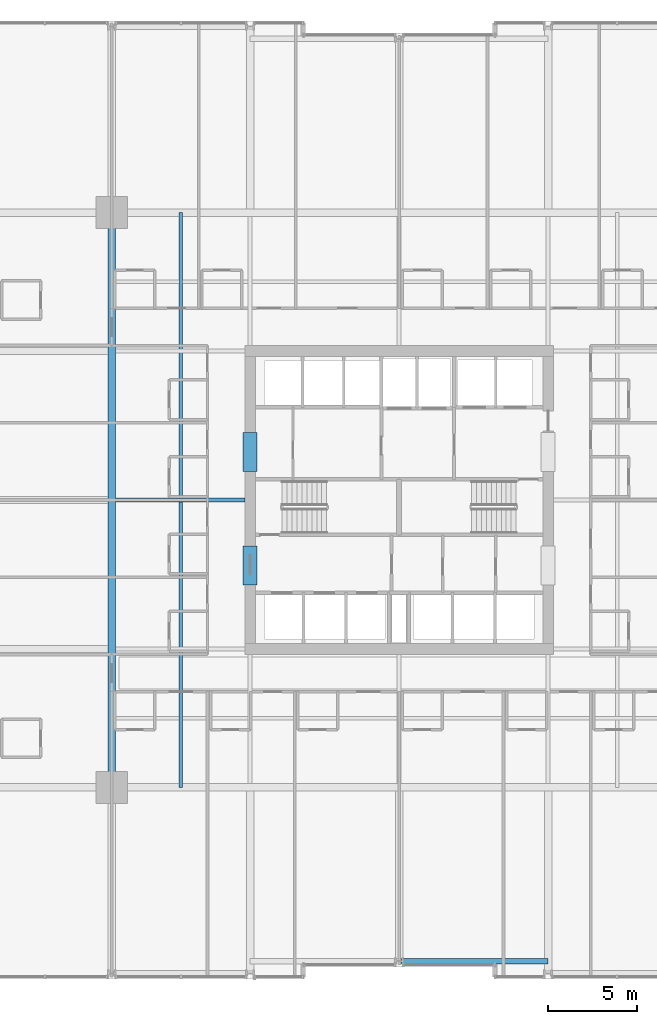
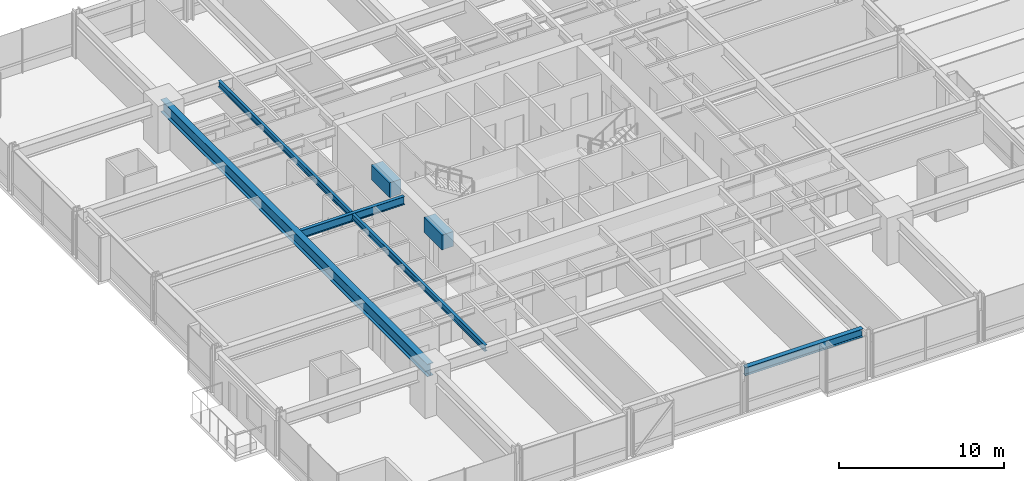
# One storey, part 10 of 42: 6 beams.
"""IFC4 building model written with IfcOpenShell, lengths in metres."""

from ifc_helpers import new_model, si_unit, direction, frame, origin, origin_2d, place, context, subcontext, project, spatial, rectangle, i_section, extrude, material, material_profile, profile_set, type_object, element, save


model = new_model("IFC4")

# Units and contexts
model_context = context("Model", 3, precision=1e-05, world=origin(), true_north=direction((0.0, 1.0)))
body_context = subcontext(model_context, "Body", "Model", "MODEL_VIEW")
ifc_project = project(units=[si_unit("LENGTHUNIT", "METRE"), si_unit("AREAUNIT", "SQUARE_METRE"), si_unit("VOLUMEUNIT", "CUBIC_METRE"), si_unit("PLANEANGLEUNIT", "RADIAN"), si_unit("MASSUNIT", "GRAM", prefix="KILO")], contexts=[model_context])

# Site, building, storey
site_placement = place(None, origin())
site = spatial("IfcSite", under=ifc_project, at=site_placement, CompositionType="ELEMENT")
building_placement = place(site_placement, origin())
building = spatial("IfcBuilding", under=site, at=building_placement, Name="Drelvath Grand Hotel", CompositionType="ELEMENT")
storey_placement = place(building_placement, frame((0.0, 0.0, 33.199951171875)))
storey = spatial("IfcBuildingStorey", under=building, at=storey_placement, Name="L06", CompositionType="ELEMENT", Elevation=33.199951171875)

# Beams
ifc_material_1 = material(Name="Steel ASTM A992 Gr 50", Category="steel")
ifc_material_profile_1 = material_profile(ifc_material_1, i_section(OverallWidth=0.19140625, OverallDepth=0.4599609375, WebThickness=0.010009765625, FlangeThickness=0.01611328125, FilletRadius=0.01611328125, at=origin_2d()), Name="W18X55")
ifc_profile_set_1 = profile_set([ifc_material_profile_1], Name="Steel ASTM A992 Gr 50")
beam_type_1 = type_object("IfcBeamType", Name="Composite Floor Joist W18X55", PredefinedType="JOIST", material=ifc_profile_set_1)
beam_1_placement = place(storey_placement, frame((-12.300048828125, 10.800048828125, 3.010009765625), z_axis=(0.0, 1.0, 0.0), x_axis=(-1.0, 0.0, 0.0)))
element("IfcBeam", 1, at=beam_1_placement, inside=storey, type_object=beam_type_1, Name="L06 Wing Floor Joist J3", PredefinedType="JOIST", context=body_context, shape_type="SweptSolid", body=[
    extrude(i_section(OverallWidth=0.19140625, OverallDepth=0.4599609375, WebThickness=0.010009765625, FlangeThickness=0.01611328125, FilletRadius=0.01611328125, at=origin_2d()), origin(), (0.0, 0.0, 1.0), 32.39990234375),
])
ifc_material_2 = material(Name="Concrete f'c 70 MPa", Category="concrete")
ifc_material_profile_2 = material_profile(ifc_material_2, rectangle(XDim=0.800048828125, YDim=1.10009765625, at=origin_2d()), Name="CB800X1100")
ifc_profile_set_2 = profile_set([ifc_material_profile_2], Name="Concrete f'c 70 MPa")
beam_type_2 = type_object("IfcBeamType", Name="Core Coupling Lintel CB800X1100", PredefinedType="LINTEL", material=ifc_profile_set_2)
for number, where, z_axis, x_axis, name in (
    (2, (-8.39990234375, 22.199951171875, 2.68994140625), (0.0, 1.0, 0.0), (-1.0, 0.0, 0.0), "L06 Core Coupling Lintel WS"),
    (3, (-8.39990234375, 28.60009765625, 2.68994140625), (0.0, 1.0, 0.0), (-1.0, 0.0, 0.0), "L06 Core Coupling Lintel WN"),
):
    element("IfcBeam", number, at=place(storey_placement, frame(where, z_axis=z_axis, x_axis=x_axis)), inside=storey, type_object=beam_type_2, Name=name, PredefinedType="LINTEL", context=body_context, shape_type="SweptSolid", body=[
        extrude(rectangle(XDim=0.800048828125, YDim=1.10009765625, at=origin_2d()), origin(), (0.0, 0.0, 1.0), 2.199951171875),
    ])
ifc_material_profile_3 = material_profile(ifc_material_1, i_section(OverallWidth=0.323974609375, OverallDepth=0.611083984375, WebThickness=0.0126953125, FlangeThickness=0.01904296875, FilletRadius=0.02197265625, at=origin_2d()), Name="W24X104")
ifc_profile_set_3 = profile_set([ifc_material_profile_3], Name="Steel ASTM A992 Gr 50")
beam_type_3 = type_object("IfcBeamType", Name="Perimeter Spandrel Beam W24X104", PredefinedType="SPANDREL", material=ifc_profile_set_3)
beam_2_placement = place(storey_placement, frame((0.139892578125, 1.0, 2.9345703125), z_axis=(1.0, 0.0, 0.0), x_axis=(0.0, 1.0, 0.0)))
element("IfcBeam", 4, at=beam_2_placement, inside=storey, type_object=beam_type_3, Name="L06 Spandrel South Mid E", PredefinedType="SPANDREL", context=body_context, shape_type="SweptSolid", body=[
    extrude(i_section(OverallWidth=0.323974609375, OverallDepth=0.611083984375, WebThickness=0.0126953125, FlangeThickness=0.01904296875, FilletRadius=0.02197265625, at=origin_2d()), origin(), (0.0, 0.0, 1.0), 8.260009765625),
])
ifc_material_profile_4 = material_profile(ifc_material_1, i_section(OverallWidth=0.228271484375, OverallDepth=0.607666015625, WebThickness=0.01123046875, FlangeThickness=0.017333984375, FilletRadius=0.02001953125, at=origin_2d()), Name="W24X76")
ifc_profile_set_4 = profile_set([ifc_material_profile_4], Name="Steel ASTM A992 Gr 50")
beam_type_4 = type_object("IfcBeamType", Name="Primary Floor Girder W24X76", PredefinedType="BEAM", material=ifc_profile_set_4)
beam_3_placement = place(storey_placement, frame((-15.99072265625, 27.0, 2.936279296875), z_axis=(1.0, 0.0, 0.0), x_axis=(0.0, 1.0, 0.0)))
element("IfcBeam", 5, at=beam_3_placement, inside=storey, type_object=beam_type_4, Name="L06 West Core Tie E", PredefinedType="BEAM", context=body_context, shape_type="SweptSolid", body=[
    extrude(i_section(OverallWidth=0.228271484375, OverallDepth=0.607666015625, WebThickness=0.01123046875, FlangeThickness=0.017333984375, FilletRadius=0.02001953125, at=origin_2d()), origin(), (0.0, 0.0, 1.0), 7.290771484375),
])
ifc_material_profile_5 = material_profile(ifc_material_1, i_section(OverallWidth=0.418212890625, OverallDepth=0.926513671875, WebThickness=0.019287109375, FlangeThickness=0.031982421875, FilletRadius=0.028076171875, at=origin_2d()), Name="W36X231")
ifc_profile_set_5 = profile_set([ifc_material_profile_5], Name="Steel ASTM A992 Gr 50")
beam_type_5 = type_object("IfcBeamType", Name="Primary Floor Girder W36X231", PredefinedType="BEAM", material=ifc_profile_set_5)
beam_4_placement = place(storey_placement, frame((-16.199951171875, 10.800048828125, 2.77685546875), z_axis=(0.0, 1.0, 0.0), x_axis=(-1.0, 0.0, 0.0)))
element("IfcBeam", 6, at=beam_4_placement, inside=storey, type_object=beam_type_5, Name="L06 Mega Ring Girder West", PredefinedType="BEAM", context=body_context, shape_type="SweptSolid", body=[
    extrude(i_section(OverallWidth=0.418212890625, OverallDepth=0.926513671875, WebThickness=0.019287109375, FlangeThickness=0.031982421875, FilletRadius=0.028076171875, at=origin_2d()), origin(), (0.0, 0.0, 1.0), 32.39990234375),
])

save(model, "model.ifc")
